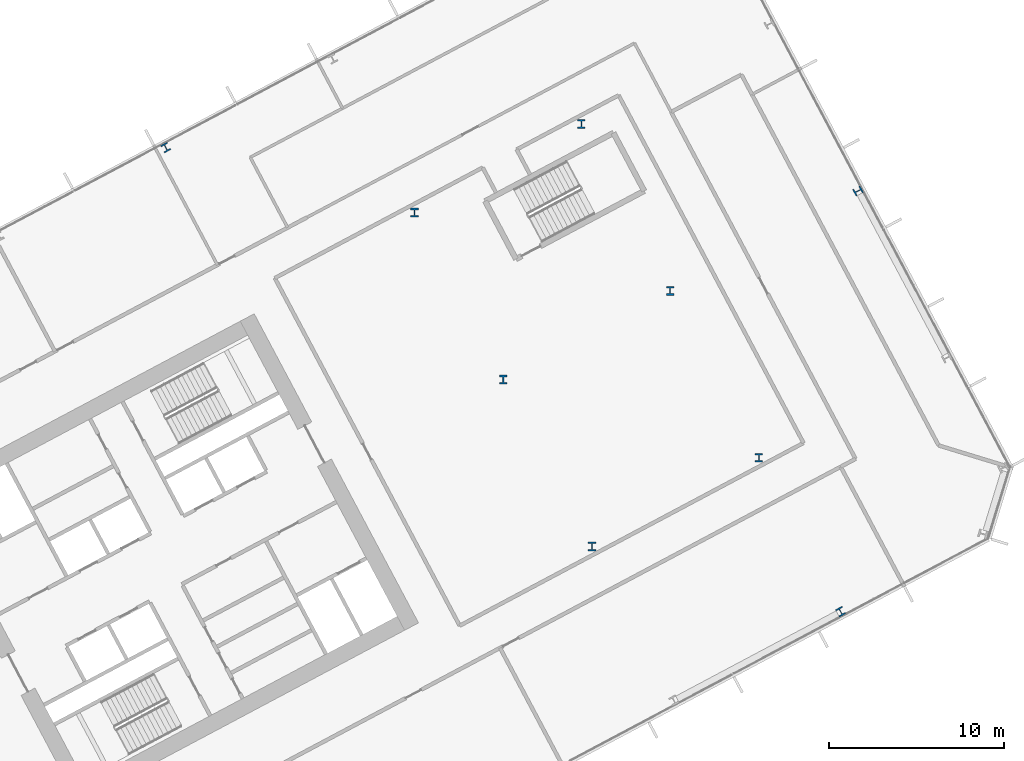
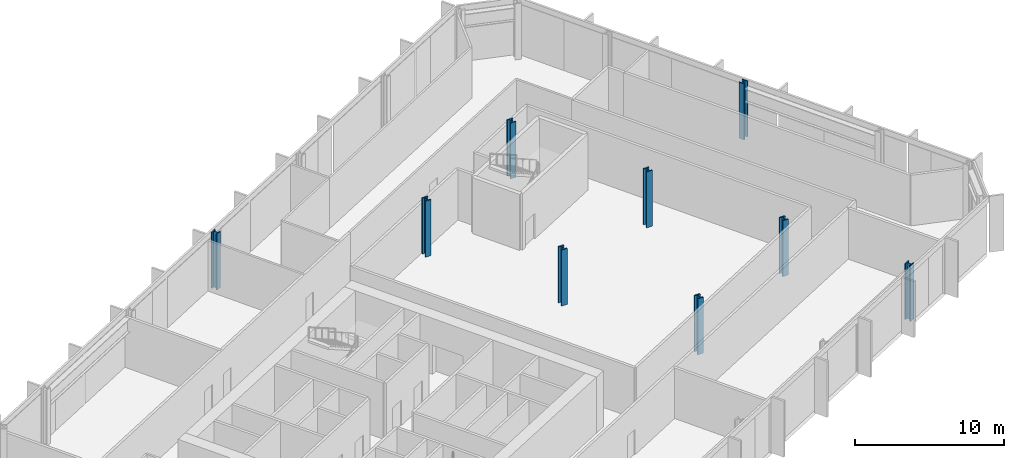
# One storey, part 4 of 31: 9 columns.
"""IFC4 building model written with IfcOpenShell, lengths in metres."""

from ifc_helpers import new_model, si_unit, direction, frame, origin, origin_2d, place, context, subcontext, project, spatial, i_section, extrude, material, material_profile, profile_set, type_object, element, save


model = new_model("IFC4")

# Units and contexts
model_context = context("Model", 3, precision=1e-05, world=origin(), true_north=direction((0.0, 1.0)))
body_context = subcontext(model_context, "Body", "Model", "MODEL_VIEW")
ifc_project = project(units=[si_unit("LENGTHUNIT", "METRE"), si_unit("AREAUNIT", "SQUARE_METRE"), si_unit("VOLUMEUNIT", "CUBIC_METRE"), si_unit("PLANEANGLEUNIT", "RADIAN"), si_unit("MASSUNIT", "GRAM", prefix="KILO")], contexts=[model_context])

# Site, building, storey
site_placement = place(None, origin())
site = spatial("IfcSite", under=ifc_project, at=site_placement, CompositionType="ELEMENT")
building_placement = place(site_placement, origin())
building = spatial("IfcBuilding", under=site, at=building_placement, Name="Cormorant Relay Tower", CompositionType="ELEMENT")
storey_placement = place(building_placement, frame((0.0, 0.0, 107.60009765625)))
storey = spatial("IfcBuildingStorey", under=building, at=storey_placement, Name="L21", CompositionType="ELEMENT", Elevation=107.60009765625)

# Columns
ifc_material_1 = material(Name="Steel ASTM A992 (Fy 345 MPa)", Category="steel")
ifc_material_profile_1 = material_profile(ifc_material_1, i_section(OverallWidth=0.42431640625, OverallDepth=0.47509765625, WebThickness=0.0478515625, FlangeThickness=0.0771484375, FilletRadius=0.014892578125, at=origin_2d()), Name="W360x634")
ifc_profile_set_1 = profile_set([ifc_material_profile_1], Name="Steel ASTM A992 (Fy 345 MPa)")
column_type_1 = type_object("IfcColumnType", Name="Column W360x634", PredefinedType="COLUMN", material=ifc_profile_set_1)
for number, where, z_axis, x_axis, name in (
    (1, (62.3701171875, 9.65087890625, 0.0), (0.0, 0.0, 1.0), (0.882947592859, 0.469471562786, 0.0), "Column L21-020"),
    (2, (63.360107421875, 33.68896484375, 0.0), (0.0, 0.0, 1.0), (-0.469471562786, 0.882947592859, 0.0), "Column L21-042"),
    (3, (23.805908203125, 36.169921875, 0.0), (0.0, 0.0, 1.0), (-0.882947592859, -0.469471562786, 0.0), "Column L21-044"),
):
    element("IfcColumn", number, at=place(storey_placement, frame(where, z_axis=z_axis, x_axis=x_axis)), inside=storey, type_object=column_type_1, Name=name, PredefinedType="COLUMN", context=body_context, shape_type="SweptSolid", body=[
        extrude(i_section(OverallWidth=0.42431640625, OverallDepth=0.47509765625, WebThickness=0.0478515625, FlangeThickness=0.0771484375, FilletRadius=0.014892578125, at=origin_2d()), origin(), (0.0, 0.0, 1.0), 4.599853515625),
    ])
ifc_material_2 = material(Name="Steel ASTM A992 (Fy 345 MPa)", Category="steel")
ifc_material_profile_2 = material_profile(ifc_material_2, i_section(OverallWidth=0.43701171875, OverallDepth=0.51318359375, WebThickness=0.060546875, FlangeThickness=0.096923828125, FilletRadius=0.015380859375, at=origin_2d()), Name="W360x818")
ifc_profile_set_2 = profile_set([ifc_material_profile_2], Name="Steel ASTM A992 (Fy 345 MPa)")
column_type_2 = type_object("IfcColumnType", Name="Column W360x818", PredefinedType="COLUMN", material=ifc_profile_set_2)
for number, where, z_axis, x_axis, name in (
    (4, (48.157958984375, 13.3740234375, 0.0), (0.0, 0.0, 1.0), (1.0, 0.0, 0.0), "Column L21-025"),
    (5, (57.694091796875, 18.445068359375, 0.0), (0.0, 0.0, 1.0), (1.0, 0.0, 0.0), "Column L21-029"),
    (6, (43.087890625, 22.909912109375, 0.0), (0.0, 0.0, 1.0), (1.0, 0.0, 0.0), "Column L21-031"),
    (7, (52.6240234375, 27.98095703125, 0.0), (0.0, 0.0, 1.0), (1.0, 0.0, 0.0), "Column L21-037"),
    (8, (38.01806640625, 32.446044921875, 0.0), (0.0, 0.0, 1.0), (1.0, 0.0, 0.0), "Column L21-040"),
    (9, (47.552978515625, 37.51611328125, 0.0), (0.0, 0.0, 1.0), (1.0, 0.0, 0.0), "Column L21-045"),
):
    element("IfcColumn", number, at=place(storey_placement, frame(where, z_axis=z_axis, x_axis=x_axis)), inside=storey, type_object=column_type_2, Name=name, PredefinedType="COLUMN", context=body_context, shape_type="SweptSolid", body=[
        extrude(i_section(OverallWidth=0.43701171875, OverallDepth=0.51318359375, WebThickness=0.060546875, FlangeThickness=0.096923828125, FilletRadius=0.015380859375, at=origin_2d()), origin(), (0.0, 0.0, 1.0), 4.599853515625),
    ])

save(model, "model.ifc")
